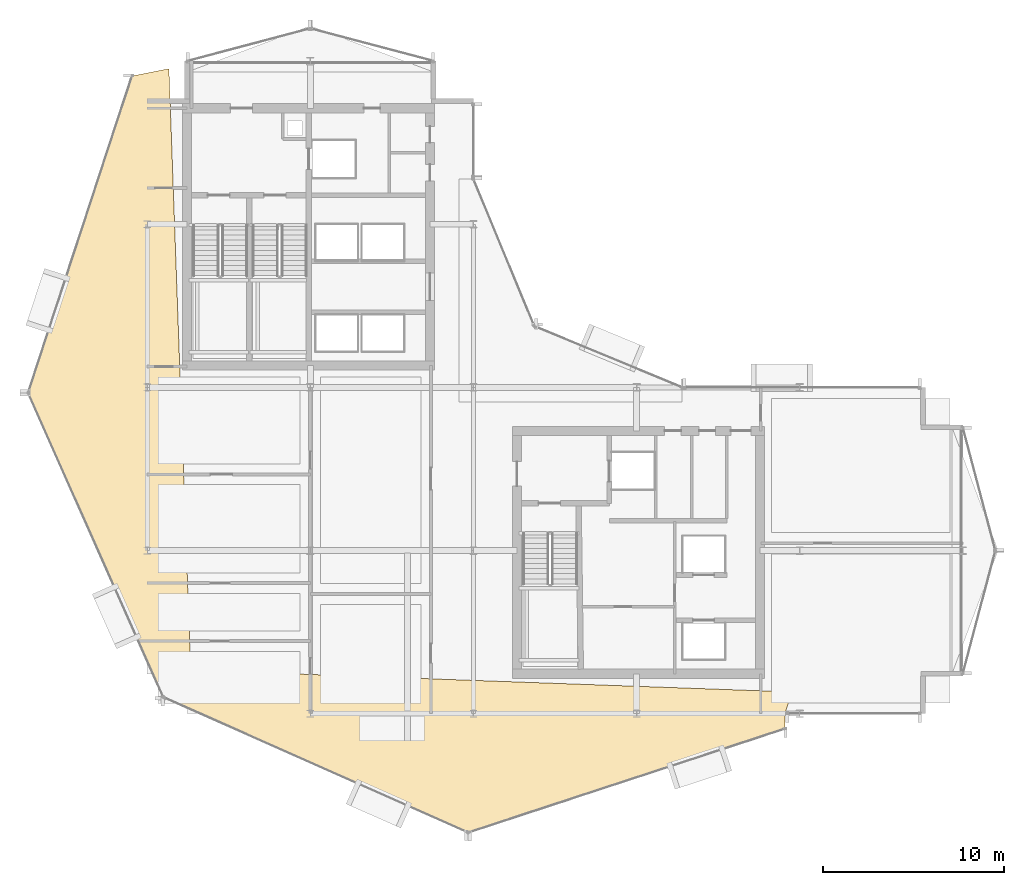
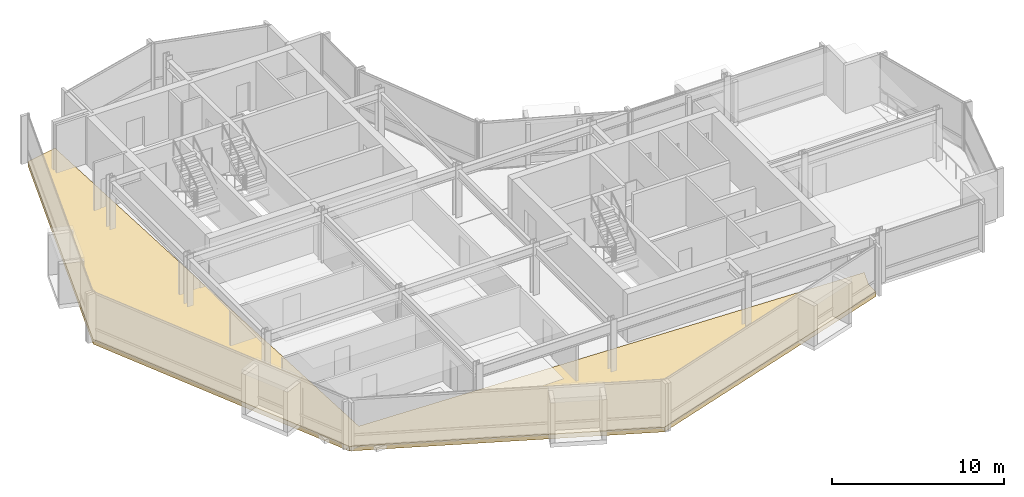
# One storey, part 24 of 27: 1 covering.
"""IFC4 building model written with IfcOpenShell, lengths in metres."""

from ifc_helpers import new_model, si_unit, direction, frame, origin, place, context, subcontext, project, spatial, polyline, outline, extrude, material, layer, layer_set, type_object, element, save


model = new_model("IFC4")

# Units and contexts
model_context = context("Model", 3, precision=1e-05, world=origin(), true_north=direction((0.0, 1.0)))
body_context = subcontext(model_context, "Body", "Model", "MODEL_VIEW")
ifc_project = project(units=[si_unit("LENGTHUNIT", "METRE"), si_unit("AREAUNIT", "SQUARE_METRE"), si_unit("VOLUMEUNIT", "CUBIC_METRE"), si_unit("PLANEANGLEUNIT", "RADIAN"), si_unit("MASSUNIT", "GRAM", prefix="KILO")], contexts=[model_context])

# Site, building, storey
site_placement = place(None, origin())
site = spatial("IfcSite", under=ifc_project, at=site_placement, CompositionType="ELEMENT")
building_placement = place(site_placement, origin())
building = spatial("IfcBuilding", under=site, at=building_placement, Name="Solvaryn Broadcast Tower", CompositionType="ELEMENT")
storey_placement = place(building_placement, frame((0.0, 0.0, 185.300048828125)))
storey = spatial("IfcBuildingStorey", under=building, at=storey_placement, Name="L46", CompositionType="ELEMENT", Elevation=185.300048828125)

# Covering
ifc_material = material(Name="Sculpted Architectural Terracotta Wave Fascia", Category="masonry")
ifc_layer = layer(ifc_material, 0.340087890625)
ifc_layer_set = layer_set([ifc_layer], Name="CV-WAVE-TRAY")
covering_type = type_object("IfcCoveringType", Name="CV-WAVE-TRAY", PredefinedType="CLADDING", material=ifc_layer_set)
covering_placement = place(storey_placement, frame((0.0, 0.0, -0.300048828125)))
element("IfcCovering", 1, at=covering_placement, inside=storey, type_object=covering_type, Name="L46 Stepped Cylindrical Drum Floor Apron", PredefinedType="CLADDING", context=body_context, shape_type="SweptSolid", body=[
    extrude(outline(polyline([(10.199951171875, 44.58203125), (8.1630859375, 44.181884765625), (2.43310546875, 26.7060546875), (9.89794921875, 9.89794921875), (26.7060546875, 2.43310546875), (44.181884765625, 8.1630859375), (44.181884765625, 9.0), (44.58203125, 10.199951171875), (11.39990234375, 11.39990234375), (10.199951171875, 44.58203125)])), origin(), (0.0, 0.0, 1.0), 0.330078125),
])

save(model, "model.ifc")
